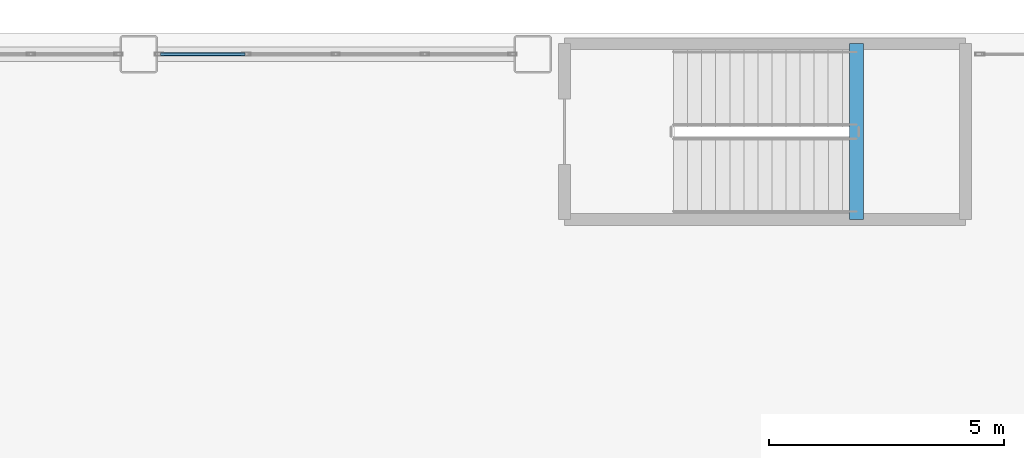
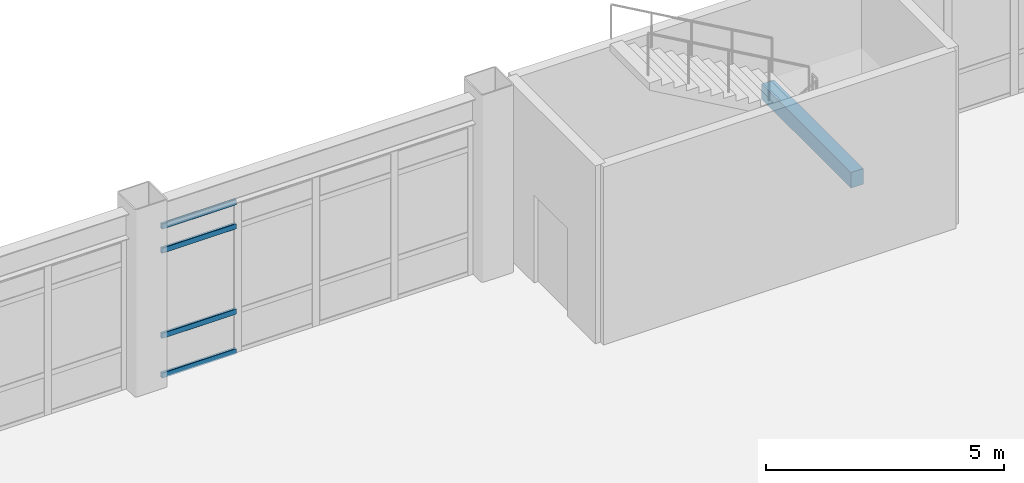
# One storey, part 69 of 154: 4 members, 1 beam, 1 element without a shape of its own.
"""IFC4 building model written with IfcOpenShell, lengths in metres."""

from ifc_helpers import new_model, si_unit, direction, frame, origin, origin_2d, place, context, subcontext, project, spatial, rectangle, hollow_rectangle, extrude, material, layer, layer_set, material_profile, profile_set, type_object, element, aggregate, save


model = new_model("IFC4")

# Units and contexts
model_context = context("Model", 3, precision=1e-05, world=origin(), true_north=direction((0.0, 1.0)))
body_context = subcontext(model_context, "Body", "Model", "MODEL_VIEW")
ifc_project = project(units=[si_unit("LENGTHUNIT", "METRE"), si_unit("AREAUNIT", "SQUARE_METRE"), si_unit("VOLUMEUNIT", "CUBIC_METRE"), si_unit("PLANEANGLEUNIT", "RADIAN"), si_unit("MASSUNIT", "GRAM", prefix="KILO")], contexts=[model_context])

# Site, building, storey
site_placement = place(None, origin())
site = spatial("IfcSite", under=ifc_project, at=site_placement, CompositionType="ELEMENT")
building_placement = place(site_placement, origin())
building = spatial("IfcBuilding", under=site, at=building_placement, Name="Kazehara Bluff Congress Hotel", CompositionType="ELEMENT")
storey_placement = place(building_placement, frame((0.0, 0.0, 10.199951171875)))
storey = spatial("IfcBuildingStorey", under=building, at=storey_placement, Name="L02", CompositionType="ELEMENT", Elevation=10.199951171875)

# Curtain wall, members
ifc_material_1 = material(Name="Anodised aluminium", Category="aluminium")
ifc_layer = layer(ifc_material_1, 0.159912109375)
ifc_layer_set = layer_set([ifc_layer], Name="Anodised aluminium")
curtain_wall_type = type_object("IfcCurtainWallType", Name="TP-CW-10", PredefinedType="NOTDEFINED", material=ifc_layer_set)
curtain_wall_placement = place(storey_placement, origin())
curtain_wall = element("IfcCurtainWall", 1, at=curtain_wall_placement, inside=storey, type_object=curtain_wall_type, Name="L02 curtain wall CW-10 CW-V1-L02-Y11355-3400", PredefinedType="NOTDEFINED")
ifc_material_2 = material(Name="Anodised aluminium", Category="aluminium")
ifc_material_profile_1 = material_profile(ifc_material_2, hollow_rectangle(XDim=0.06494140625, YDim=0.139892578125, WallThickness=0.00390625, InnerFilletRadius=0.00390625, OuterFilletRadius=0.008056640625, at=origin_2d()))
ifc_profile_set_1 = profile_set([ifc_material_profile_1], Name="Anodised aluminium")
member_type = type_object("IfcMemberType", Name="TP-CWT-02", PredefinedType="USERDEFINED", material=ifc_profile_set_1)
member_1_placement = place(storey_placement, frame((34.06494140625, 113.550048828125, 0.032470703125), z_axis=(1.0, 0.0, 0.0), x_axis=(0.0, 1.0, 0.0)))
member_1 = element("IfcMember", 2, at=member_1_placement, type_object=member_type, Name="CW-10 transom 1.1", ObjectType="TRANSOM", PredefinedType="USERDEFINED", context=body_context, shape_type="SweptSolid", body=[
    extrude(hollow_rectangle(XDim=0.06494140625, YDim=0.139892578125, WallThickness=0.00390625, InnerFilletRadius=0.00390625, OuterFilletRadius=0.008056640625, at=origin_2d()), origin(), (0.0, 0.0, 1.0), 1.802490234375),
])
member_2_placement = place(storey_placement, frame((34.06494140625, 113.550048828125, 1.050048828125), z_axis=(1.0, 0.0, 0.0), x_axis=(0.0, 1.0, 0.0)))
member_2 = element("IfcMember", 3, at=member_2_placement, type_object=member_type, Name="CW-10 transom 1.2", ObjectType="TRANSOM", PredefinedType="USERDEFINED", context=body_context, shape_type="SweptSolid", body=[
    extrude(hollow_rectangle(XDim=0.06494140625, YDim=0.139892578125, WallThickness=0.00390625, InnerFilletRadius=0.00390625, OuterFilletRadius=0.008056640625, at=origin_2d()), origin(), (0.0, 0.0, 1.0), 1.802490234375),
])
member_3_placement = place(storey_placement, frame((34.06494140625, 113.550048828125, 3.235107421875), z_axis=(1.0, 0.0, 0.0), x_axis=(0.0, 1.0, 0.0)))
member_3 = element("IfcMember", 4, at=member_3_placement, type_object=member_type, Name="CW-10 transom 1.3", ObjectType="TRANSOM", PredefinedType="USERDEFINED", context=body_context, shape_type="SweptSolid", body=[
    extrude(hollow_rectangle(XDim=0.06494140625, YDim=0.139892578125, WallThickness=0.00390625, InnerFilletRadius=0.00390625, OuterFilletRadius=0.008056640625, at=origin_2d()), origin(), (0.0, 0.0, 1.0), 1.802490234375),
])
member_4_placement = place(storey_placement, frame((34.06494140625, 113.550048828125, 3.8525390625), z_axis=(1.0, 0.0, 0.0), x_axis=(0.0, 1.0, 0.0)))
member_4 = element("IfcMember", 5, at=member_4_placement, type_object=member_type, Name="CW-10 transom 1.4", ObjectType="TRANSOM", PredefinedType="USERDEFINED", context=body_context, shape_type="SweptSolid", body=[
    extrude(hollow_rectangle(XDim=0.06494140625, YDim=0.139892578125, WallThickness=0.00390625, InnerFilletRadius=0.00390625, OuterFilletRadius=0.008056640625, at=origin_2d()), origin(), (0.0, 0.0, 1.0), 1.802490234375),
])
aggregate(curtain_wall, [member_1, member_2, member_3, member_4])

# Beam
ifc_material_3 = material(Name="Concrete C40/50", Category="concrete")
ifc_material_profile_2 = material_profile(ifc_material_3, rectangle(XDim=0.300048828125, YDim=0.39990234375, at=origin_2d()))
ifc_profile_set_2 = profile_set([ifc_material_profile_2], Name="Concrete C40/50")
beam_type = type_object("IfcBeamType", Name="TP-LN-02", PredefinedType="LINTEL", material=ifc_profile_set_2)
beam_placement = place(storey_placement, frame((48.89990234375, 110.02490234375, 2.02001953125), z_axis=(0.0, 1.0, 0.0), x_axis=(-1.0, 0.0, 0.0)))
element("IfcBeam", 6, at=beam_placement, inside=storey, type_object=beam_type, Name="L02 ST-02 half-landing support beam 1", PredefinedType="LINTEL", context=body_context, shape_type="SweptSolid", body=[
    extrude(rectangle(XDim=0.300048828125, YDim=0.39990234375, at=origin_2d()), origin(), (0.0, 0.0, 1.0), 3.75),
])

save(model, "model.ifc")
